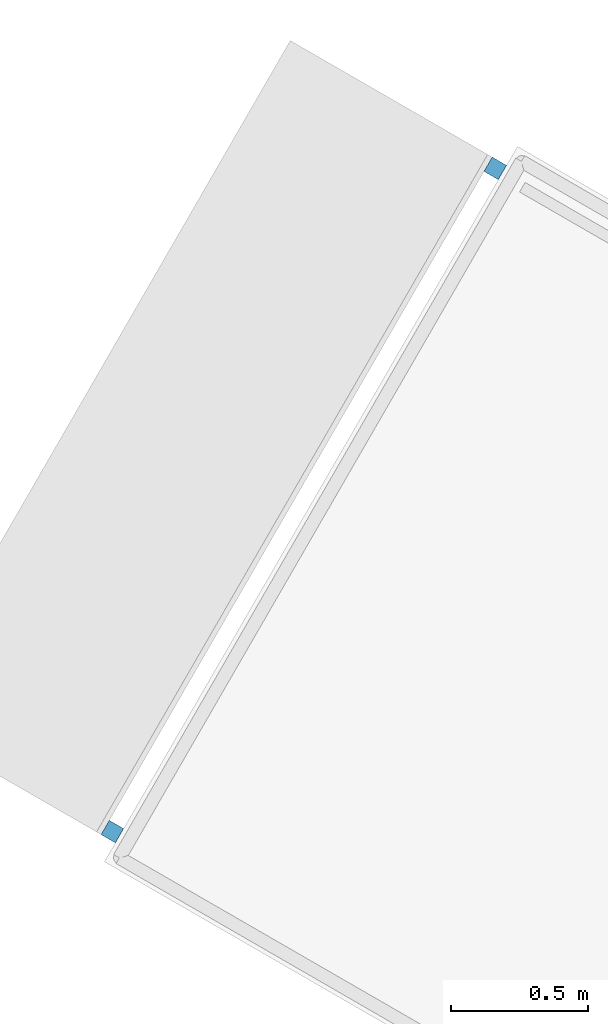
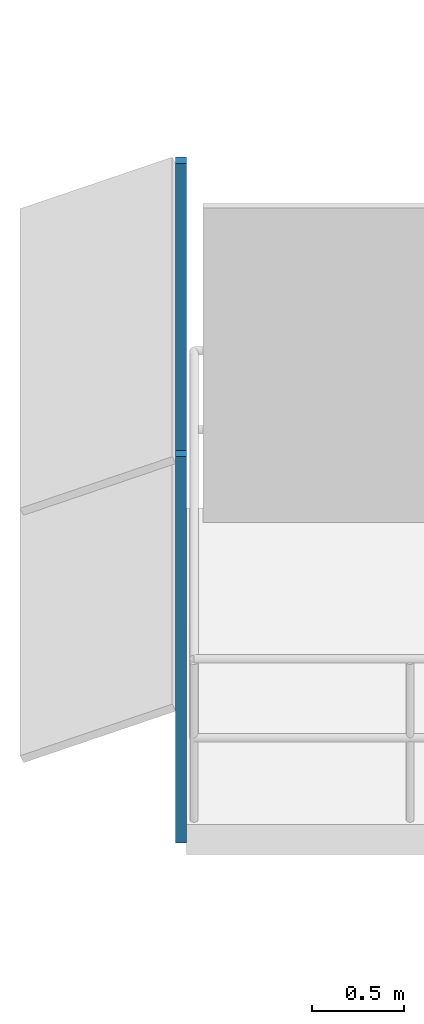
# One storey, part 10 of 13: 2 discrete accessories.
"""IFC4 building model written with IfcOpenShell, lengths in metres."""

from ifc_helpers import new_model, si_unit, direction, frame, origin, origin_2d, place, context, subcontext, project, spatial, rectangle, extrude, material, type_object, element, save


model = new_model("IFC4")

# Units and contexts
model_context = context("Model", 3, precision=1e-05, world=origin(), true_north=direction((0.0, 1.0)))
body_context = subcontext(model_context, "Body", "Model", "MODEL_VIEW")
ifc_project = project(units=[si_unit("LENGTHUNIT", "METRE"), si_unit("AREAUNIT", "SQUARE_METRE"), si_unit("VOLUMEUNIT", "CUBIC_METRE"), si_unit("PLANEANGLEUNIT", "RADIAN"), si_unit("MASSUNIT", "GRAM", prefix="KILO")], contexts=[model_context])

# Site, building, storey
site_placement = place(None, origin())
site = spatial("IfcSite", under=ifc_project, at=site_placement, CompositionType="ELEMENT")
building_placement = place(site_placement, origin())
building = spatial("IfcBuilding", under=site, at=building_placement, Name="Nakaniwa Court", CompositionType="ELEMENT")
storey_placement = place(building_placement, frame((0.0, 0.0, 242.699951171875)))
storey = spatial("IfcBuildingStorey", under=building, at=storey_placement, Name="L63", CompositionType="ELEMENT", Elevation=242.699951171875)

# Discrete accessories
ifc_material = material(Name="Black powder-coated steel bracket S275", Category="steel")
discrete_accessory_type = type_object("IfcDiscreteAccessoryType", Name="Black metal louvre bracket", PredefinedType="BRACKET", material=ifc_material)
for number, where, z_axis, x_axis, name in (
    (1, (57.783447265625, 91.6796875, -0.229736328125), (0.0, 0.0, 1.0), (-0.499986396443, -0.866033257659, 0.0), "L63 louvre bracket 01 1"),
    (2, (56.386962890625, 89.260986328125, -0.229736328125), (0.0, 0.0, 1.0), (-0.499986396443, -0.866033257659, 0.0), "L63 louvre bracket 01 2"),
):
    element("IfcDiscreteAccessory", number, at=place(storey_placement, frame(where, z_axis=z_axis, x_axis=x_axis)), inside=storey, type_object=discrete_accessory_type, Name=name, PredefinedType="BRACKET", context=body_context, shape_type="SweptSolid", body=[
        extrude(rectangle(XDim=0.06005859375, YDim=0.06005859375, at=origin_2d()), origin(), (0.0, 0.0, 1.0), 2.5751953125),
    ])

save(model, "model.ifc")
